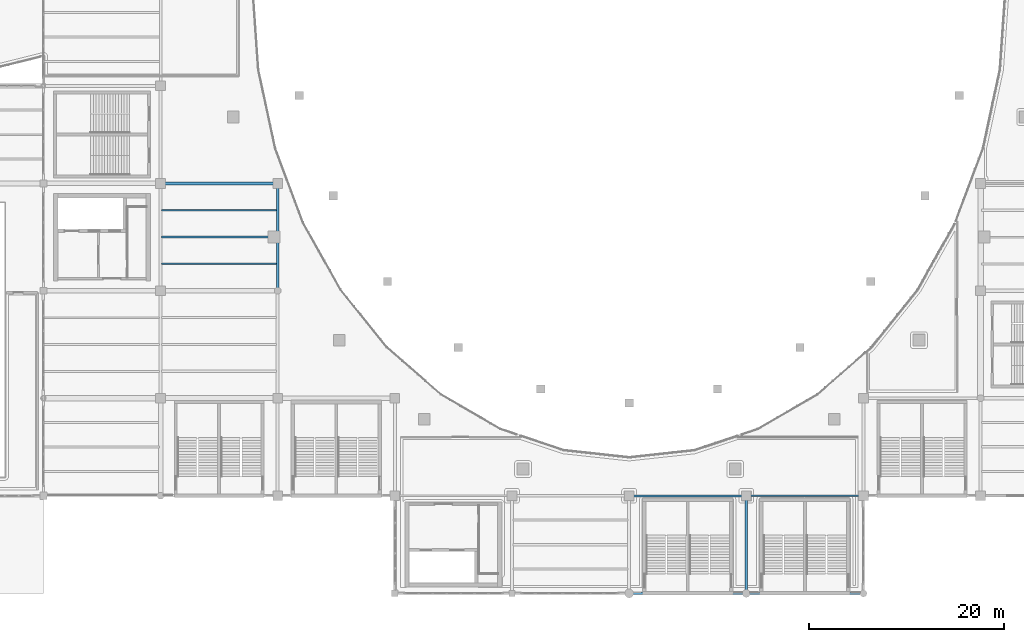
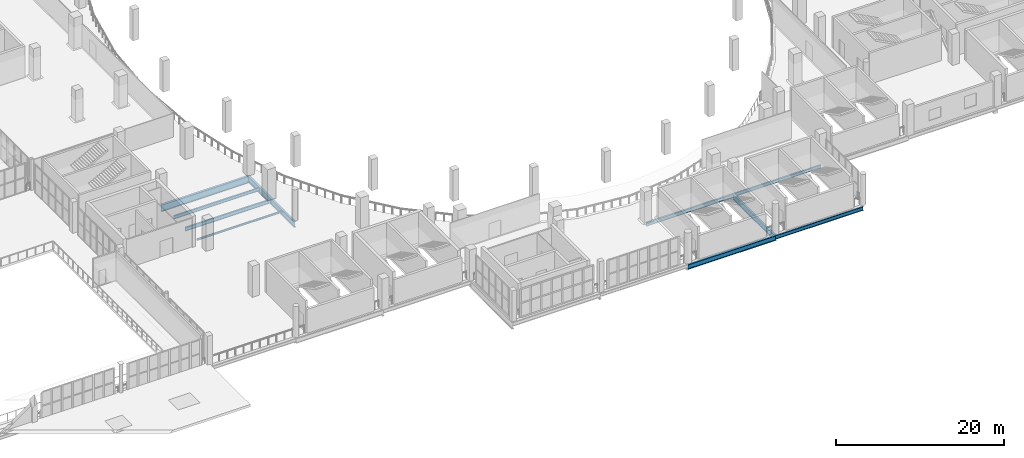
# One storey, part 33 of 108: 10 beams.
"""IFC4 building model written with IfcOpenShell, lengths in metres."""

import ifcopenshell
import ifcopenshell.guid

model = None  # the IFC model being written
_history = None  # IfcOwnerHistory: only IFC2X3 demands one
_inside = {}  # id of a spatial element -> (the spatial element, [elements in it])
_under = {}  # id of a project, library or spatial element -> (it, [spatial elements below it])
_declared = {}  # id of a project -> (the project, [libraries it declares])
_typed = {}  # id of a type object -> (the type object, [elements of that type])
_made_of = {}  # id of a material, layer set ... -> (it, [elements and type objects made of it])


def new_model(schema):
    """Start an empty IFC model of exactly this schema.

    Asked for "IFC4X3", IfcOpenShell would pick the latest addendum, in which some entities
    have other attributes; the version numbers below select the first issue.
    IFC2X3 requires an IfcOwnerHistory on every rooted entity: one is made here for all.
    """
    global model, _history
    if schema == "IFC4X3":
        model = ifcopenshell.file(schema_version=(4, 3, 0, 0))
    else:
        model = ifcopenshell.file(schema=schema)
    _inside.clear()
    _under.clear()
    _declared.clear()
    _typed.clear()
    _made_of.clear()
    _history = None
    if model.schema == "IFC2X3":
        org = make("IfcOrganization", Name="unknown")
        user = make(
            "IfcPersonAndOrganization",
            ThePerson=make("IfcPerson", FamilyName="unknown"),
            TheOrganization=org,
        )
        app = make(
            "IfcApplication",
            ApplicationDeveloper=org,
            Version="unknown",
            ApplicationFullName="unknown",
            ApplicationIdentifier="unknown",
        )
        _history = make(
            "IfcOwnerHistory",
            OwningUser=user,
            OwningApplication=app,
            ChangeAction="ADDED",
            CreationDate=0,
        )
    return model


def make(cls, **values):
    """One entity of the class cls with the attributes given. An attribute that is None is left unset."""
    return model.create_entity(
        cls, **{name: value for name, value in values.items() if value is not None}
    )


def rooted(cls, **values):
    """An entity with a GlobalId (a new one), such as an element, a storey or a relation."""
    return make(cls, GlobalId=ifcopenshell.guid.new(), OwnerHistory=_history, **values)


def si_unit(unit_type, name, prefix=None):
    """IfcSIUnit, for example si_unit("LENGTHUNIT", "METRE", prefix="MILLI")."""
    return make("IfcSIUnit", UnitType=unit_type, Prefix=prefix, Name=name)


def assignment(units):
    """IfcUnitAssignment: the units of a project."""
    return None if units is None else make("IfcUnitAssignment", Units=units)


def point(xyz):
    """IfcCartesianPoint."""
    return None if xyz is None else make("IfcCartesianPoint", Coordinates=xyz)


def direction(xyz):
    """IfcDirection."""
    return None if xyz is None else make("IfcDirection", DirectionRatios=xyz)


def frame(location, z_axis=None, x_axis=None):
    """IfcAxis2Placement3D, a coordinate frame: its origin and axes. An axis left out is left unset."""
    return make(
        "IfcAxis2Placement3D",
        Location=point(location),
        Axis=direction(z_axis),
        RefDirection=direction(x_axis),
    )


def frame_2d(location, x_axis=None):
    """IfcAxis2Placement2D, a coordinate frame in the plane: its origin and x axis."""
    return make(
        "IfcAxis2Placement2D", Location=point(location), RefDirection=direction(x_axis)
    )


def origin():
    """The frame at (0, 0, 0) with its axes left unset."""
    return frame((0.0, 0.0, 0.0))


def origin_2d():
    """The frame at (0, 0) in the plane with its x axis left unset."""
    return frame_2d((0.0, 0.0))


def place(relative_to, where):
    """IfcLocalPlacement: puts the frame where relative to a parent placement (None: the world)."""
    return make(
        "IfcLocalPlacement", PlacementRelTo=relative_to, RelativePlacement=where
    )


def context(
    kind, dimensions, precision=None, world=None, true_north=None, identifier=None
):
    """IfcGeometricRepresentationContext, for example the 3D "Model" context."""
    return make(
        "IfcGeometricRepresentationContext",
        ContextIdentifier=identifier,
        ContextType=kind,
        CoordinateSpaceDimension=dimensions,
        Precision=precision,
        WorldCoordinateSystem=world,
        TrueNorth=true_north,
    )


def subcontext(parent, identifier, kind, view, scale=None):
    """IfcGeometricRepresentationSubContext, for example "Body" below "Model"."""
    return make(
        "IfcGeometricRepresentationSubContext",
        ContextIdentifier=identifier,
        ContextType=kind,
        ParentContext=parent,
        TargetScale=scale,
        TargetView=view,
    )


def project(units=None, contexts=None):
    """IfcProject with its units and contexts."""
    return rooted(
        "IfcProject",
        Name="project",
        RepresentationContexts=contexts,
        UnitsInContext=assignment(units),
    )


def spatial(cls, under=None, at=None, **own):
    """A site, building, storey or space (cls), placed at a placement, below another one or the project."""
    s = rooted(cls, ObjectPlacement=at, **own)
    if under is not None:
        _under.setdefault(under.id(), (under, []))[1].append(s)
    return s


def profile(cls, at=None, kind="AREA", **sizes):
    """A parametric profile (cls). Its sizes go by their IFC names, for example OverallWidth=200.0."""
    return make(cls, ProfileType=kind, Position=at, **sizes)


def i_section(**sizes):
    """IfcIShapeProfileDef."""
    return profile("IfcIShapeProfileDef", **sizes)


def extrude(swept, where, along, depth):
    """IfcExtrudedAreaSolid: the profile swept, set in the frame where, extruded along a direction by depth."""
    return make(
        "IfcExtrudedAreaSolid",
        SweptArea=swept,
        Position=where,
        ExtrudedDirection=direction(along),
        Depth=depth,
    )


def shape(context_of_items, identifier, shape_type, items):
    """IfcShapeRepresentation: the items that make up one representation, for example the "Body"."""
    return make(
        "IfcShapeRepresentation",
        ContextOfItems=context_of_items,
        RepresentationIdentifier=identifier,
        RepresentationType=shape_type,
        Items=items,
    )


def material(Name=None, Category=None):
    """IfcMaterial."""
    return make("IfcMaterial", Name=Name, Category=Category)


def material_profile(
    of_material, cross_section, Name=None, Category=None, Priority=None
):
    """IfcMaterialProfile: a cross section and its material."""
    return make(
        "IfcMaterialProfile",
        Name=Name,
        Material=of_material,
        Profile=cross_section,
        Priority=Priority,
        Category=Category,
    )


def profile_set(profiles, Name=None, composite=None):
    """IfcMaterialProfileSet."""
    return make(
        "IfcMaterialProfileSet",
        Name=Name,
        MaterialProfiles=profiles,
        CompositeProfile=composite,
    )


def made_of(thing, what):
    """Note that an element or type object is made of a material, layer set ...; save() writes the relation."""
    if what is not None:
        _made_of.setdefault(what.id(), (what, []))[1].append(thing)
    return thing


def type_object(cls, material=None, **own):
    """A type object (cls), such as IfcWallType, which elements share."""
    return made_of(rooted(cls, **own), material)


def element(
    cls,
    number,
    at=None,
    inside=None,
    cuts=None,
    type_object=None,
    material=None,
    context=None,
    identifier="Body",
    shape_type=None,
    held_by="IfcProductDefinitionShape",
    body=None,
    shapes=None,
    **own,
):
    """One element of the class cls, such as IfcWall. Its Tag is "e" and its number.

    at: its placement. inside: the storey or other place that contains it. cuts: it is an
    opening in that element (IfcRelVoidsElement). A single representation is given by context,
    identifier, shape_type and body (its items); several are given by shapes. held_by: the class
    of the entity that holds the representations. save() writes the other relations.
    """
    e = rooted(cls, Tag="e%d" % number, ObjectPlacement=at, **own)
    if body is not None:
        shapes = [shape(context, identifier, shape_type, body)]
    if shapes is not None:
        e.Representation = make(held_by, Representations=shapes)
    if inside is not None:
        _inside.setdefault(inside.id(), (inside, []))[1].append(e)
    if cuts is not None:
        rooted(
            "IfcRelVoidsElement", RelatingBuildingElement=cuts, RelatedOpeningElement=e
        )
    if type_object is not None:
        _typed.setdefault(type_object.id(), (type_object, []))[1].append(e)
    return made_of(e, material)


def aggregate(whole, parts):
    """IfcRelAggregates: a whole, such as a stair, and the parts it consists of."""
    return rooted("IfcRelAggregates", RelatingObject=whole, RelatedObjects=parts)


def save(model, path):
    """Write the relations noted so far, then the file.

    IfcRelAggregates (storeys below a building ...), IfcRelContainedInSpatialStructure (elements
    in a storey), IfcRelDefinesByType, IfcRelAssociatesMaterial and IfcRelDeclares: one each for
    every whole, place, type object, material and project.
    """
    for whole, parts in _under.values():
        aggregate(whole, parts)
    for where, things in _inside.values():
        rooted(
            "IfcRelContainedInSpatialStructure",
            RelatedElements=things,
            RelatingStructure=where,
        )
    for kind, things in _typed.values():
        rooted("IfcRelDefinesByType", RelatedObjects=things, RelatingType=kind)
    for what, things in _made_of.values():
        rooted("IfcRelAssociatesMaterial", RelatedObjects=things, RelatingMaterial=what)
    for by, libraries in _declared.values():
        rooted("IfcRelDeclares", RelatingContext=by, RelatedDefinitions=libraries)
    model.write(path)


model = new_model("IFC4")

# Units and contexts
model_context = context("Model", 3, precision=1e-05, world=origin(), true_north=direction((0.0, 1.0)))
body_context = subcontext(model_context, "Body", "Model", "MODEL_VIEW")
ifc_project = project(units=[si_unit("LENGTHUNIT", "METRE"), si_unit("AREAUNIT", "SQUARE_METRE"), si_unit("VOLUMEUNIT", "CUBIC_METRE"), si_unit("PLANEANGLEUNIT", "RADIAN"), si_unit("MASSUNIT", "GRAM", prefix="KILO")], contexts=[model_context])

# Site, building, storey
site_placement = place(None, origin())
site = spatial("IfcSite", under=ifc_project, at=site_placement, CompositionType="ELEMENT")
building_placement = place(site_placement, origin())
building = spatial("IfcBuilding", under=site, at=building_placement, Name="Brinegate Civic Arena", CompositionType="ELEMENT")
storey_placement = place(building_placement, frame((0.0, 0.0, 10.199951171875)))
storey = spatial("IfcBuildingStorey", under=building, at=storey_placement, Name="L02", CompositionType="ELEMENT", Elevation=10.199951171875)

# Beams
ifc_material = material(Name="Steel S355", Category="steel")
ifc_material_profile_1 = material_profile(ifc_material, i_section(OverallWidth=0.300048828125, OverallDepth=1.0, WebThickness=0.01904296875, FlangeThickness=0.031982421875, FilletRadius=0.02392578125, at=origin_2d()), Name="W1000X321")
ifc_profile_set_1 = profile_set([ifc_material_profile_1], Name="Steel S355")
beam_type_1 = type_object("IfcBeamType", Name="GIRDER-W1000X321", PredefinedType="BEAM", material=ifc_profile_set_1)
beam_1_placement = place(storey_placement, frame((60.0, 42.0, -0.829833984375), z_axis=(1.0, 0.0, 0.0), x_axis=(0.0, 1.0, 0.0)))
element("IfcBeam", 1, at=beam_1_placement, inside=storey, type_object=beam_type_1, Name="Floor Girder BM-L02-GX-05-04", PredefinedType="BEAM", context=body_context, shape_type="SweptSolid", body=[
    extrude(i_section(OverallWidth=0.300048828125, OverallDepth=1.0, WebThickness=0.01904296875, FlangeThickness=0.031982421875, FilletRadius=0.02392578125, at=origin_2d()), origin(), (0.0, 0.0, 1.0), 12.0),
])
ifc_material_profile_2 = material_profile(ifc_material, i_section(OverallWidth=0.26806640625, OverallDepth=0.77001953125, WebThickness=0.01611328125, FlangeThickness=0.02490234375, FilletRadius=0.02001953125, at=origin_2d()), Name="W760X196")
ifc_profile_set_2 = profile_set([ifc_material_profile_2], Name="Steel S355")
beam_type_2 = type_object("IfcBeamType", Name="GIRDER-W760X196", PredefinedType="BEAM", material=ifc_profile_set_2)
beam_2_placement = place(storey_placement, frame((120.0, 0.0, -0.71484375), z_axis=(0.0, 1.0, 0.0), x_axis=(-1.0, 0.0, 0.0)))
element("IfcBeam", 2, at=beam_2_placement, inside=storey, type_object=beam_type_2, Name="Floor Girder BM-L02-GY-10-00", PredefinedType="BEAM", context=body_context, shape_type="SweptSolid", body=[
    extrude(i_section(OverallWidth=0.26806640625, OverallDepth=0.77001953125, WebThickness=0.01611328125, FlangeThickness=0.02490234375, FilletRadius=0.02001953125, at=origin_2d()), origin(), (0.0, 0.0, 1.0), 10.0),
])
ifc_material_profile_3 = material_profile(ifc_material, i_section(OverallWidth=0.2939453125, OverallDepth=0.85107421875, WebThickness=0.01611328125, FlangeThickness=0.027099609375, FilletRadius=0.02197265625, at=origin_2d()), Name="W840X226")
ifc_profile_set_3 = profile_set([ifc_material_profile_3], Name="Steel S355")
beam_type_3 = type_object("IfcBeamType", Name="GIRDER-W840X226", PredefinedType="BEAM", material=ifc_profile_set_3)
beam_3_placement = place(storey_placement, frame((72.0, 31.0, -0.7548828125), z_axis=(0.0, 1.0, 0.0), x_axis=(-1.0, 0.0, 0.0)))
element("IfcBeam", 3, at=beam_3_placement, inside=storey, type_object=beam_type_3, Name="Floor Girder BM-L02-GY-06-03", PredefinedType="BEAM", context=body_context, shape_type="SweptSolid", body=[
    extrude(i_section(OverallWidth=0.2939453125, OverallDepth=0.85107421875, WebThickness=0.01611328125, FlangeThickness=0.027099609375, FilletRadius=0.02197265625, at=origin_2d()), origin(), (0.0, 0.0, 1.0), 11.0),
])
ifc_material_profile_4 = material_profile(ifc_material, i_section(OverallWidth=0.14794921875, OverallDepth=0.26611328125, WebThickness=0.008056640625, FlangeThickness=0.012939453125, FilletRadius=0.011962890625, at=origin_2d()), Name="W250X45")
ifc_profile_set_4 = profile_set([ifc_material_profile_4], Name="Steel S355")
beam_type_4 = type_object("IfcBeamType", Name="JOIST-W250X45", PredefinedType="JOIST", material=ifc_profile_set_4)
beam_4_placement = place(storey_placement, frame((60.10595703125, 33.75, -0.462890625), z_axis=(1.0, 0.0, 0.0), x_axis=(0.0, 1.0, 0.0)))
element("IfcBeam", 4, at=beam_4_placement, inside=storey, type_object=beam_type_4, Name="Secondary Joist BM-L02-JX-05-03-1", PredefinedType="JOIST", context=body_context, shape_type="SweptSolid", body=[
    extrude(i_section(OverallWidth=0.14794921875, OverallDepth=0.26611328125, WebThickness=0.008056640625, FlangeThickness=0.012939453125, FilletRadius=0.011962890625, at=origin_2d()), origin(), (0.0, 0.0, 1.0), 11.7880859375),
])
ifc_material_profile_5 = material_profile(ifc_material, i_section(OverallWidth=0.193115234375, OverallDepth=0.466064453125, WebThickness=0.010986328125, FlangeThickness=0.01904296875, FilletRadius=0.014892578125, at=origin_2d()), Name="W460X97")
ifc_profile_set_5 = profile_set([ifc_material_profile_5], Name="Steel S355")
beam_type_5 = type_object("IfcBeamType", Name="JOIST-W460X97", PredefinedType="JOIST", material=ifc_profile_set_5)
beam_5_placement = place(storey_placement, frame((60.10595703125, 39.25, -0.56298828125), z_axis=(1.0, 0.0, 0.0), x_axis=(0.0, 1.0, 0.0)))
element("IfcBeam", 5, at=beam_5_placement, inside=storey, type_object=beam_type_5, Name="Secondary Joist BM-L02-JX-05-03-3", PredefinedType="JOIST", context=body_context, shape_type="SweptSolid", body=[
    extrude(i_section(OverallWidth=0.193115234375, OverallDepth=0.466064453125, WebThickness=0.010986328125, FlangeThickness=0.01904296875, FilletRadius=0.014892578125, at=origin_2d()), origin(), (0.0, 0.0, 1.0), 11.7880859375),
])
ifc_material_profile_6 = material_profile(ifc_material, i_section(OverallWidth=0.2119140625, OverallDepth=0.5439453125, WebThickness=0.012939453125, FlangeThickness=0.02099609375, FilletRadius=0.01611328125, at=origin_2d()), Name="W530X123")
ifc_profile_set_6 = profile_set([ifc_material_profile_6], Name="Steel S355")
beam_type_6 = type_object("IfcBeamType", Name="JOIST-W530X123", PredefinedType="JOIST", material=ifc_profile_set_6)
beam_6_placement = place(storey_placement, frame((60.10595703125, 36.5, -0.60205078125), z_axis=(1.0, 0.0, 0.0), x_axis=(0.0, 1.0, 0.0)))
element("IfcBeam", 6, at=beam_6_placement, inside=storey, type_object=beam_type_6, Name="Secondary Joist BM-L02-JX-05-03-2", PredefinedType="JOIST", context=body_context, shape_type="SweptSolid", body=[
    extrude(i_section(OverallWidth=0.2119140625, OverallDepth=0.5439453125, WebThickness=0.012939453125, FlangeThickness=0.02099609375, FilletRadius=0.01611328125, at=origin_2d()), origin(), (0.0, 0.0, 1.0), 11.7880859375),
])
ifc_material_profile_7 = material_profile(ifc_material, i_section(OverallWidth=0.193115234375, OverallDepth=0.466064453125, WebThickness=0.010986328125, FlangeThickness=0.01904296875, FilletRadius=0.014892578125, at=origin_2d()), Name="W460X97")
ifc_profile_set_7 = profile_set([ifc_material_profile_7], Name="Steel S355")
beam_type_7 = type_object("IfcBeamType", Name="SPANDREL-W460X97", PredefinedType="SPANDREL", material=ifc_profile_set_7)
beam_7_placement = place(storey_placement, frame((120.0, 10.0, -0.56298828125), z_axis=(1.0, 0.0, 0.0), x_axis=(0.0, 1.0, 0.0)))
element("IfcBeam", 7, at=beam_7_placement, inside=storey, type_object=beam_type_7, Name="Floor Girder BM-L02-GX-10-01", PredefinedType="SPANDREL", context=body_context, shape_type="SweptSolid", body=[
    extrude(i_section(OverallWidth=0.193115234375, OverallDepth=0.466064453125, WebThickness=0.010986328125, FlangeThickness=0.01904296875, FilletRadius=0.014892578125, at=origin_2d()), origin(), (0.0, 0.0, 1.0), 12.0),
])
ifc_material_profile_8 = material_profile(ifc_material, i_section(OverallWidth=0.2119140625, OverallDepth=0.5439453125, WebThickness=0.012939453125, FlangeThickness=0.02099609375, FilletRadius=0.01611328125, at=origin_2d()), Name="W530X123")
ifc_profile_set_8 = profile_set([ifc_material_profile_8], Name="Steel S355")
beam_type_8 = type_object("IfcBeamType", Name="SPANDREL-W530X123", PredefinedType="SPANDREL", material=ifc_profile_set_8)
for number, where, z_axis, x_axis, name in (
    (8, (120.0, 0.0, -0.60205078125), (1.0, 0.0, 0.0), (0.0, 1.0, 0.0), "Floor Girder BM-L02-GX-10-00"),
    (9, (108.0, 10.0, -0.60205078125), (1.0, 0.0, 0.0), (0.0, 1.0, 0.0), "Floor Girder BM-L02-GX-09-01"),
):
    element("IfcBeam", number, at=place(storey_placement, frame(where, z_axis=z_axis, x_axis=x_axis)), inside=storey, type_object=beam_type_8, Name=name, PredefinedType="SPANDREL", context=body_context, shape_type="SweptSolid", body=[
        extrude(i_section(OverallWidth=0.2119140625, OverallDepth=0.5439453125, WebThickness=0.012939453125, FlangeThickness=0.02099609375, FilletRadius=0.01611328125, at=origin_2d()), origin(), (0.0, 0.0, 1.0), 12.0),
    ])
ifc_material_profile_9 = material_profile(ifc_material, i_section(OverallWidth=0.256103515625, OverallDepth=0.693115234375, WebThickness=0.014892578125, FlangeThickness=0.02392578125, FilletRadius=0.01806640625, at=origin_2d()), Name="W690X170")
ifc_profile_set_9 = profile_set([ifc_material_profile_9], Name="Steel S355")
beam_type_9 = type_object("IfcBeamType", Name="SPANDREL-W690X170", PredefinedType="SPANDREL", material=ifc_profile_set_9)
beam_8_placement = place(storey_placement, frame((108.0, 0.0, -0.676025390625), z_axis=(1.0, 0.0, 0.0), x_axis=(0.0, 1.0, 0.0)))
element("IfcBeam", 10, at=beam_8_placement, inside=storey, type_object=beam_type_9, Name="Floor Girder BM-L02-GX-09-00", PredefinedType="SPANDREL", context=body_context, shape_type="SweptSolid", body=[
    extrude(i_section(OverallWidth=0.256103515625, OverallDepth=0.693115234375, WebThickness=0.014892578125, FlangeThickness=0.02392578125, FilletRadius=0.01806640625, at=origin_2d()), origin(), (0.0, 0.0, 1.0), 12.0),
])

save(model, "model.ifc")
